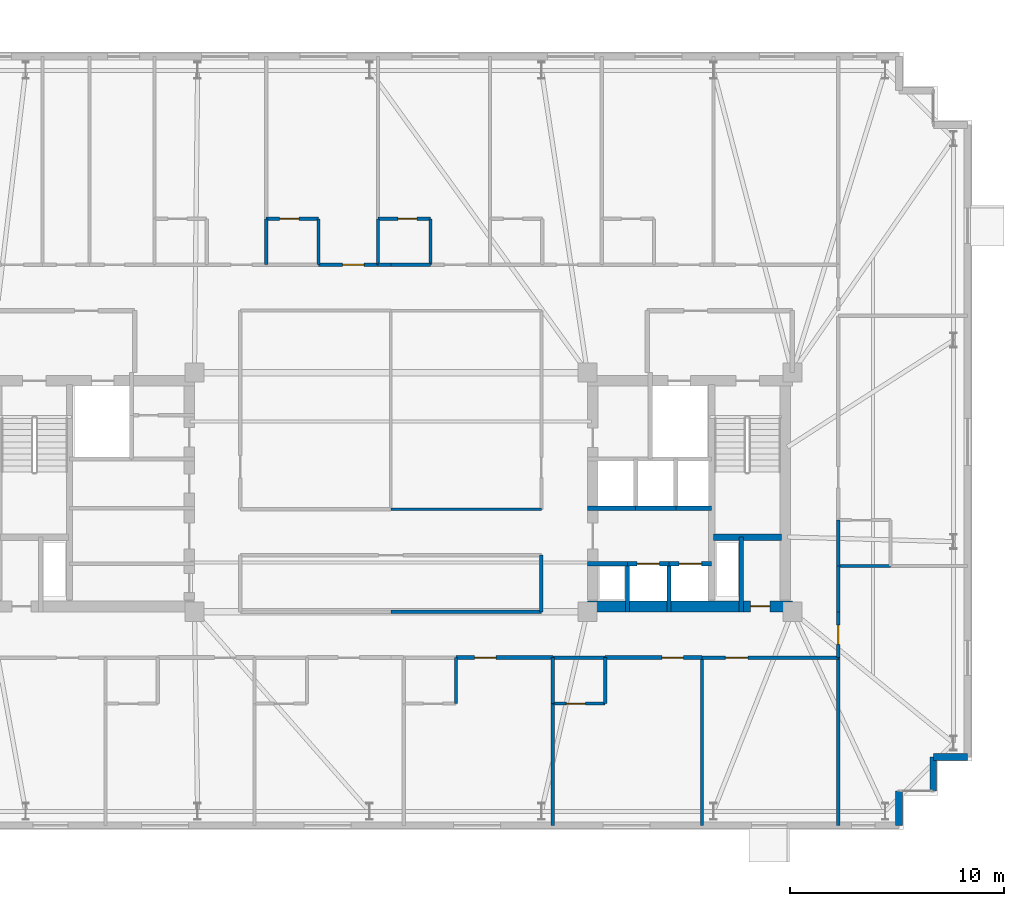
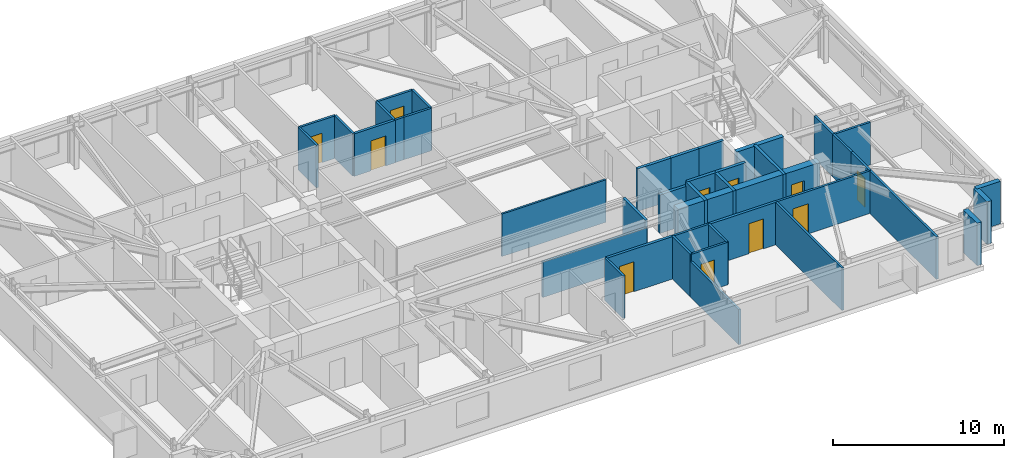
# One storey, part 13 of 17: 41 walls, 11 doors, 11 openings.
"""IFC4 building model written with IfcOpenShell, lengths in metres."""

from ifc_helpers import new_model, si_unit, direction, frame, frame_2d, origin, place, context, subcontext, project, spatial, rectangle, extrude, material, layer, layer_set, type_object, element, fill, save


model = new_model("IFC4")

# Units and contexts
model_context = context("Model", 3, precision=1e-05, world=origin(), true_north=direction((0.0, 1.0)))
body_context = subcontext(model_context, "Body", "Model", "MODEL_VIEW")
ifc_project = project(units=[si_unit("LENGTHUNIT", "METRE"), si_unit("AREAUNIT", "SQUARE_METRE"), si_unit("VOLUMEUNIT", "CUBIC_METRE"), si_unit("PLANEANGLEUNIT", "RADIAN"), si_unit("MASSUNIT", "GRAM", prefix="KILO")], contexts=[model_context])

# Site, building, storey
site_placement = place(None, origin())
site = spatial("IfcSite", under=ifc_project, at=site_placement, CompositionType="ELEMENT")
building_placement = place(site_placement, origin())
building = spatial("IfcBuilding", under=site, at=building_placement, Name="Qobustan Lattice House", CompositionType="ELEMENT")
storey_placement = place(building_placement, frame((0.0, 0.0, 144.39990234375)))
storey = spatial("IfcBuildingStorey", under=building, at=storey_placement, Name="L40", CompositionType="ELEMENT", Elevation=144.39990234375)

# Wall, opening, door
ifc_material_1 = material(Name="Concrete C50/60", Category="concrete")
ifc_layer_1 = layer(ifc_material_1, 0.5)
ifc_layer_set_1 = layer_set([ifc_layer_1], Name="Concrete C50/60")
wall_type_1 = type_object("IfcWallType", Name="WAL-CORE-500", PredefinedType="SHEAR", material=ifc_layer_set_1)
wall_1_placement = place(storey_placement, frame((9.199951171875, -5.35009765625, 0.0), z_axis=(0.0, 0.0, 1.0), x_axis=(1.0, 0.0, 0.0)))
wall_1 = element("IfcWall", 1, at=wall_1_placement, inside=storey, type_object=wall_type_1, Name="L40 split-core shear wall CE-S", PredefinedType="SHEAR", context=body_context, shape_type="SweptSolid", body=[
    extrude(rectangle(XDim=9.60009765625, YDim=0.5, at=frame_2d((4.800048828125, 0.0))), origin(), (0.0, 0.0, 1.0), 3.0400390625),
])
opening_1_placement = place(wall_1_placement, frame((7.64990234375, 0.0, 0.0)))
opening_1 = element("IfcOpeningElement", 2, at=opening_1_placement, cuts=wall_1, Name="Opening RD-01", PredefinedType="OPENING", context=body_context, shape_type="SweptSolid", body=[
    extrude(rectangle(XDim=0.89990234375, YDim=2.10009765625, at=frame_2d((0.449951171875, 1.050048828125))), frame((0.0, 0.260009765625, 0.0), z_axis=(0.0, -1.0, 0.0), x_axis=(1.0, 0.0, 0.0)), (0.0, 0.0, 1.0), 0.52001953125),
])
ifc_material_2 = material(Name="Persian walnut timber and steel frame door", Category="steel")
door_type_1 = type_object("IfcDoorType", Name="DOR-RISER-FD-900x2100", OperationType="NOTDEFINED", PredefinedType="DOOR", material=ifc_material_2)
door_1_placement = place(opening_1_placement, origin())
door_1 = element("IfcDoor", 3, at=door_1_placement, inside=storey, type_object=door_type_1, Name="L40 core service riser access door E", OperationType="SINGLE_SWING_RIGHT", OverallHeight=2.10009765625, OverallWidth=0.89990234375, PredefinedType="DOOR", context=body_context, shape_type="SweptSolid", body=[
    extrude(rectangle(XDim=0.89990234375, YDim=2.10009765625, at=frame_2d((0.449951171875, 1.050048828125))), frame((0.0, 0.02490234375, 0.0), z_axis=(0.0, -1.0, 0.0), x_axis=(1.0, 0.0, 0.0)), (0.0, 0.0, 1.0), 0.050048828125),
])
fill(opening_1, door_1)

# Walls
ifc_material_3 = material(Name="Concrete C50/60", Category="concrete")
ifc_layer_2 = layer(ifc_material_3, 0.280029296875)
ifc_layer_set_2 = layer_set([ifc_layer_2], Name="Concrete C50/60")
wall_type_2 = type_object("IfcWallType", Name="WAL-CORE-SPINE-280", PredefinedType="SHEAR", material=ifc_layer_set_2)
wall_2_placement = place(storey_placement, frame((15.10009765625, -2.110107421875, 0.0), z_axis=(0.0, 0.0, 1.0), x_axis=(1.0, 0.0, 0.0)))
element("IfcWall", 4, at=wall_2_placement, inside=storey, type_object=wall_type_2, Name="L40 split-core shear wall CE-ST", PredefinedType="SHEAR", context=body_context, shape_type="SweptSolid", body=[
    extrude(rectangle(XDim=3.179931640625, YDim=0.300048828125, at=frame_2d((1.58984375, 0.0))), origin(), (0.0, 0.0, 1.0), 3.0400390625),
])
ifc_material_4 = material(Name="Precast concrete C40/50", Category="concrete")
ifc_layer_3 = layer(ifc_material_4, 0.320068359375)
ifc_layer_set_3 = layer_set([ifc_layer_3], Name="Precast concrete C40/50")
wall_type_3 = type_object("IfcWallType", Name="WAL-EXT-STONE-320", PredefinedType="SOLIDWALL", material=ifc_layer_set_3)
for number, where, z_axis, x_axis, name in (
    (5, (27.0, -12.39990234375, 0.0), (0.0, 0.0, 1.0), (-1.0, 0.0, 0.0), "L40 exterior limestone-clad wall 16"),
    (6, (25.39990234375, -12.39990234375, 0.0), (0.0, 0.0, 1.0), (0.0, -1.0, 0.0), "L40 exterior limestone-clad wall 17"),
    (7, (23.800048828125, -14.0, 0.0), (0.0, 0.0, 1.0), (0.0, -1.0, 0.0), "L40 exterior limestone-clad wall 19"),
):
    element("IfcWall", number, at=place(storey_placement, frame(where, z_axis=z_axis, x_axis=x_axis)), inside=storey, type_object=wall_type_3, Name=name, PredefinedType="SOLIDWALL", context=body_context, shape_type="SweptSolid", body=[
        extrude(rectangle(XDim=1.60009765625, YDim=0.320068359375, at=frame_2d((0.800048828125, 0.0))), origin(), (0.0, 0.0, 1.0), 3.0400390625),
    ])

# Wall, opening, door
ifc_material_5 = material(Name="Gypsum fireboard acoustic partition", Category="gypsum")
ifc_layer_4 = layer(ifc_material_5, 0.179931640625)
ifc_layer_set_4 = layer_set([ifc_layer_4], Name="Gypsum fireboard acoustic partition")
wall_type_4 = type_object("IfcWallType", Name="WAL-FIRE-180", PredefinedType="PARTITIONING", material=ifc_layer_set_4)
wall_3_placement = place(storey_placement, frame((-3.387939453125, 10.64990234375, 0.0), z_axis=(0.0, 0.0, 1.0), x_axis=(1.0, 0.0, 0.0)))
wall_3 = element("IfcWall", 8, at=wall_3_placement, inside=storey, type_object=wall_type_4, Name="L40 interior partition 38", PredefinedType="PARTITIONING", context=body_context, shape_type="SweptSolid", body=[
    extrude(rectangle(XDim=2.787841796875, YDim=0.179931640625, at=frame_2d((1.39404296875, 0.0))), origin(), (0.0, 0.0, 1.0), 3.0400390625),
])
opening_2_placement = place(wall_3_placement, frame((1.12939453125, 0.0, 0.0)))
opening_2 = element("IfcOpeningElement", 9, at=opening_2_placement, cuts=wall_3, Name="Opening FD-02", PredefinedType="OPENING", context=body_context, shape_type="SweptSolid", body=[
    extrude(rectangle(XDim=1.0, YDim=2.14990234375, at=frame_2d((0.5, 1.074951171875))), frame((0.0, 0.099853515625, 0.0), z_axis=(0.0, -1.0, 0.0), x_axis=(1.0, 0.0, 0.0)), (0.0, 0.0, 1.0), 0.199951171875),
])
ifc_material_6 = material(Name="Persian walnut timber and steel frame door", Category="steel")
door_type_2 = type_object("IfcDoorType", Name="DOR-UNIT-FD-1000x2150", OperationType="NOTDEFINED", PredefinedType="DOOR", material=ifc_material_6)
door_2_placement = place(opening_2_placement, origin())
door_2 = element("IfcDoor", 10, at=door_2_placement, inside=storey, type_object=door_type_2, Name="L40 North-west floor corridor to Kitchenette and studio apartment L40-N4 door", OperationType="SINGLE_SWING_LEFT", OverallHeight=2.14990234375, OverallWidth=1.0, PredefinedType="DOOR", context=body_context, shape_type="SweptSolid", body=[
    extrude(rectangle(XDim=1.0, YDim=2.14990234375, at=frame_2d((0.5, 1.074951171875))), frame((0.0, 0.02490234375, 0.0), z_axis=(0.0, -1.0, 0.0), x_axis=(1.0, 0.0, 0.0)), (0.0, 0.0, 1.0), 0.050048828125),
])
fill(opening_2, door_2)

wall_4_placement = place(storey_placement, frame((7.5830078125, -7.75, 0.0), z_axis=(0.0, 0.0, 1.0), x_axis=(-1.0, 0.0, 0.0)))
wall_4 = element("IfcWall", 11, at=wall_4_placement, inside=storey, type_object=wall_type_4, Name="L40 interior partition 60", PredefinedType="PARTITIONING", context=body_context, shape_type="SweptSolid", body=[
    extrude(rectangle(XDim=4.532958984375, YDim=0.179931640625, at=frame_2d((2.2666015625, 0.0))), origin(), (0.0, 0.0, 1.0), 3.0400390625),
])
opening_3_placement = place(wall_4_placement, frame((2.656494140625, 0.0, 0.0)))
opening_3 = element("IfcOpeningElement", 12, at=opening_3_placement, cuts=wall_4, Name="Opening FD-02", PredefinedType="OPENING", context=body_context, shape_type="SweptSolid", body=[
    extrude(rectangle(XDim=1.0, YDim=2.14990234375, at=frame_2d((0.5, 1.074951171875))), frame((0.0, 0.099853515625, 0.0), z_axis=(0.0, -1.0, 0.0), x_axis=(1.0, 0.0, 0.0)), (0.0, 0.0, 1.0), 0.199951171875),
])
door_3_placement = place(opening_3_placement, origin())
door_3 = element("IfcDoor", 13, at=door_3_placement, inside=storey, type_object=door_type_2, Name="L40 South-east floor corridor to Kitchenette and studio apartment L40-S4 door", OperationType="SINGLE_SWING_RIGHT", OverallHeight=2.14990234375, OverallWidth=1.0, PredefinedType="DOOR", context=body_context, shape_type="SweptSolid", body=[
    extrude(rectangle(XDim=1.0, YDim=2.14990234375, at=frame_2d((0.5, 1.074951171875))), frame((0.0, 0.02490234375, 0.0), z_axis=(0.0, -1.0, 0.0), x_axis=(1.0, 0.0, 0.0)), (0.0, 0.0, 1.0), 0.050048828125),
])
fill(opening_3, door_3)

wall_5_placement = place(storey_placement, frame((14.56689453125, -7.75, 0.0), z_axis=(0.0, 0.0, 1.0), x_axis=(-1.0, 0.0, 0.0)))
wall_5 = element("IfcWall", 14, at=wall_5_placement, inside=storey, type_object=wall_type_4, Name="L40 interior partition 62", PredefinedType="PARTITIONING", context=body_context, shape_type="SweptSolid", body=[
    extrude(rectangle(XDim=4.533935546875, YDim=0.179931640625, at=frame_2d((2.26708984375, 0.0))), origin(), (0.0, 0.0, 1.0), 3.0400390625),
])
opening_4_placement = place(wall_5_placement, frame((0.876708984375, 0.0, 0.0)))
opening_4 = element("IfcOpeningElement", 15, at=opening_4_placement, cuts=wall_5, Name="Opening FD-02", PredefinedType="OPENING", context=body_context, shape_type="SweptSolid", body=[
    extrude(rectangle(XDim=1.0, YDim=2.14990234375, at=frame_2d((0.5, 1.074951171875))), frame((0.0, 0.099853515625, 0.0), z_axis=(0.0, -1.0, 0.0), x_axis=(1.0, 0.0, 0.0)), (0.0, 0.0, 1.0), 0.199951171875),
])
door_4_placement = place(opening_4_placement, origin())
door_4 = element("IfcDoor", 16, at=door_4_placement, inside=storey, type_object=door_type_2, Name="L40 South-east floor corridor to Kitchenette and studio apartment L40-S5 door", OperationType="SINGLE_SWING_LEFT", OverallHeight=2.14990234375, OverallWidth=1.0, PredefinedType="DOOR", context=body_context, shape_type="SweptSolid", body=[
    extrude(rectangle(XDim=1.0, YDim=2.14990234375, at=frame_2d((0.5, 1.074951171875))), frame((0.0, 0.02490234375, 0.0), z_axis=(0.0, -1.0, 0.0), x_axis=(1.0, 0.0, 0.0)), (0.0, 0.0, 1.0), 0.050048828125),
])
fill(opening_4, door_4)

# Wall
ifc_material_7 = material(Name="Lightweight acoustic stud partition", Category="gypsum")
ifc_layer_5 = layer(ifc_material_7, 0.125)
ifc_layer_set_5 = layer_set([ifc_layer_5], Name="Lightweight acoustic stud partition")
wall_type_5 = type_object("IfcWallType", Name="WAL-PART-125", PredefinedType="PARTITIONING", material=ifc_layer_set_5)
wall_6_placement = place(storey_placement, frame((0.0, -0.800048828125, 0.0), z_axis=(0.0, 0.0, 1.0), x_axis=(1.0, 0.0, 0.0)))
element("IfcWall", 17, at=wall_6_placement, inside=storey, type_object=wall_type_5, Name="L40 interior partition 73", PredefinedType="PARTITIONING", context=body_context, shape_type="SweptSolid", body=[
    extrude(rectangle(XDim=7.050048828125, YDim=0.125, at=frame_2d((3.52490234375, 0.0))), origin(), (0.0, 0.0, 1.0), 3.0400390625),
])

# Wall, opening, door
ifc_material_8 = material(Name="Acoustic twin-stud gypsum partition", Category="gypsum")
ifc_layer_6 = layer(ifc_material_8, 0.14990234375)
ifc_layer_set_6 = layer_set([ifc_layer_6], Name="Acoustic twin-stud gypsum partition")
wall_type_6 = type_object("IfcWallType", Name="WAL-PART-150", PredefinedType="PARTITIONING", material=ifc_layer_set_6)
wall_7_placement = place(storey_placement, frame((20.949951171875, -5.60009765625, 0.0), z_axis=(0.0, 0.0, 1.0), x_axis=(0.0, -1.0, 0.0)))
wall_7 = element("IfcWall", 18, at=wall_7_placement, inside=storey, type_object=wall_type_6, Name="L40 interior partition 58", PredefinedType="PARTITIONING", context=body_context, shape_type="SweptSolid", body=[
    extrude(rectangle(XDim=2.14990234375, YDim=0.14990234375, at=frame_2d((1.074951171875, 0.0))), origin(), (0.0, 0.0, 1.0), 3.0400390625),
])
opening_5_placement = place(wall_7_placement, frame((0.625, 0.0, 0.0)))
opening_5 = element("IfcOpeningElement", 19, at=opening_5_placement, cuts=wall_7, Name="Opening WD-01", PredefinedType="OPENING", context=body_context, shape_type="SweptSolid", body=[
    extrude(rectangle(XDim=0.89990234375, YDim=2.10009765625, at=frame_2d((0.449951171875, 1.050048828125))), frame((0.0, 0.0849609375, 0.0), z_axis=(0.0, -1.0, 0.0), x_axis=(1.0, 0.0, 0.0)), (0.0, 0.0, 1.0), 0.169921875),
])
ifc_material_9 = material(Name="Persian walnut timber and steel frame door", Category="steel")
door_type_3 = type_object("IfcDoorType", Name="DOR-WET-900x2100", OperationType="NOTDEFINED", PredefinedType="DOOR", material=ifc_material_9)
door_5_placement = place(opening_5_placement, origin())
door_5 = element("IfcDoor", 20, at=door_5_placement, inside=storey, type_object=door_type_3, Name="L40 South-east floor corridor to Focus study room E1 door", OperationType="SINGLE_SWING_LEFT", OverallHeight=2.10009765625, OverallWidth=0.89990234375, PredefinedType="DOOR", context=body_context, shape_type="SweptSolid", body=[
    extrude(rectangle(XDim=0.89990234375, YDim=2.10009765625, at=frame_2d((0.449951171875, 1.050048828125))), frame((0.0, 0.02490234375, 0.0), z_axis=(0.0, -1.0, 0.0), x_axis=(1.0, 0.0, 0.0)), (0.0, 0.0, 1.0), 0.050048828125),
])
fill(opening_5, door_5)

wall_8_placement = place(storey_placement, frame((20.949951171875, -7.75, 0.0), z_axis=(0.0, 0.0, 1.0), x_axis=(-1.0, 0.0, 0.0)))
wall_8 = element("IfcWall", 21, at=wall_8_placement, inside=storey, type_object=wall_type_6, Name="L40 interior partition 64", PredefinedType="PARTITIONING", context=body_context, shape_type="SweptSolid", body=[
    extrude(rectangle(XDim=6.383056640625, YDim=0.14990234375, at=frame_2d((3.19140625, 0.0))), origin(), (0.0, 0.0, 1.0), 3.0400390625),
])
opening_6_placement = place(wall_8_placement, frame((4.2314453125, 0.0, 0.0)))
opening_6 = element("IfcOpeningElement", 22, at=opening_6_placement, cuts=wall_8, Name="Opening ID-02", PredefinedType="OPENING", context=body_context, shape_type="SweptSolid", body=[
    extrude(rectangle(XDim=1.050048828125, YDim=2.14990234375, at=frame_2d((0.52490234375, 1.074951171875))), frame((0.0, 0.0849609375, 0.0), z_axis=(0.0, -1.0, 0.0), x_axis=(1.0, 0.0, 0.0)), (0.0, 0.0, 1.0), 0.169921875),
])
ifc_material_10 = material(Name="Persian walnut timber and steel frame door", Category="steel")
door_type_4 = type_object("IfcDoorType", Name="DOR-STUDY-1050x2150", OperationType="NOTDEFINED", PredefinedType="DOOR", material=ifc_material_10)
door_6_placement = place(opening_6_placement, origin())
door_6 = element("IfcDoor", 23, at=door_6_placement, inside=storey, type_object=door_type_4, Name="L40 South-east floor corridor to Group study room door", OperationType="SINGLE_SWING_RIGHT", OverallHeight=2.14990234375, OverallWidth=1.050048828125, PredefinedType="DOOR", context=body_context, shape_type="SweptSolid", body=[
    extrude(rectangle(XDim=1.050048828125, YDim=2.14990234375, at=frame_2d((0.52490234375, 1.074951171875))), frame((0.0, 0.02490234375, 0.0), z_axis=(0.0, -1.0, 0.0), x_axis=(1.0, 0.0, 0.0)), (0.0, 0.0, 1.0), 0.050048828125),
])
fill(opening_6, door_6)

# Walls
wall_9_placement = place(storey_placement, frame((20.949951171875, -3.4599609375, 0.0), z_axis=(0.0, 0.0, 1.0), x_axis=(0.0, -1.0, 0.0)))
element("IfcWall", 24, at=wall_9_placement, inside=storey, type_object=wall_type_6, Name="L40 interior partition 69", PredefinedType="PARTITIONING", context=body_context, shape_type="SweptSolid", body=[
    extrude(rectangle(XDim=2.14013671875, YDim=0.14990234375, at=frame_2d((1.070068359375, 0.0))), origin(), (0.0, 0.0, 1.0), 3.0400390625),
])
wall_10_placement = place(storey_placement, frame((20.949951171875, -15.60009765625, 0.0), z_axis=(0.0, 0.0, 1.0), x_axis=(0.0, 1.0, 0.0)))
element("IfcWall", 25, at=wall_10_placement, inside=storey, type_object=wall_type_6, Name="L40 interior partition 92", PredefinedType="PARTITIONING", context=body_context, shape_type="SweptSolid", body=[
    extrude(rectangle(XDim=7.85009765625, YDim=0.14990234375, at=frame_2d((3.925048828125, 0.0))), origin(), (0.0, 0.0, 1.0), 3.0400390625),
])
wall_11_placement = place(storey_placement, frame((7.5830078125, -9.89990234375, 0.0), z_axis=(0.0, 0.0, 1.0), x_axis=(0.0, -1.0, 0.0)))
element("IfcWall", 26, at=wall_11_placement, inside=storey, type_object=wall_type_6, Name="L40 interior partition 132", PredefinedType="PARTITIONING", context=body_context, shape_type="SweptSolid", body=[
    extrude(rectangle(XDim=5.7001953125, YDim=0.14990234375, at=frame_2d((2.85009765625, 0.0))), origin(), (0.0, 0.0, 1.0), 2.525146484375),
])
wall_12_placement = place(storey_placement, frame((14.56689453125, -7.75, 0.0), z_axis=(0.0, 0.0, 1.0), x_axis=(0.0, -1.0, 0.0)))
element("IfcWall", 27, at=wall_12_placement, inside=storey, type_object=wall_type_6, Name="L40 interior partition 136", PredefinedType="PARTITIONING", context=body_context, shape_type="SweptSolid", body=[
    extrude(rectangle(XDim=7.85009765625, YDim=0.14990234375, at=frame_2d((3.925048828125, 0.0))), origin(), (0.0, 0.0, 1.0), 3.0400390625),
])
ifc_material_11 = material(Name="High-mass acoustic twin-stud partition", Category="gypsum")
ifc_layer_7 = layer(ifc_material_11, 0.1650390625)
ifc_layer_set_7 = layer_set([ifc_layer_7], Name="High-mass acoustic twin-stud partition")
wall_type_7 = type_object("IfcWallType", Name="WAL-PART-165", PredefinedType="PARTITIONING", material=ifc_layer_set_7)
wall_13_placement = place(storey_placement, frame((0.0, -5.60009765625, 0.0), z_axis=(0.0, 0.0, 1.0), x_axis=(1.0, 0.0, 0.0)))
element("IfcWall", 28, at=wall_13_placement, inside=storey, type_object=wall_type_7, Name="L40 interior partition 65", PredefinedType="PARTITIONING", context=body_context, shape_type="SweptSolid", body=[
    extrude(rectangle(XDim=7.050048828125, YDim=0.1650390625, at=frame_2d((3.52490234375, 0.0))), origin(), (0.0, 0.0, 1.0), 2.525146484375),
])
wall_14_placement = place(storey_placement, frame((7.050048828125, -5.60009765625, 0.0), z_axis=(0.0, 0.0, 1.0), x_axis=(0.0, 1.0, 0.0)))
element("IfcWall", 29, at=wall_14_placement, inside=storey, type_object=wall_type_7, Name="L40 interior partition 78", PredefinedType="PARTITIONING", context=body_context, shape_type="SweptSolid", body=[
    extrude(rectangle(XDim=2.650146484375, YDim=0.1650390625, at=frame_2d((1.3251953125, 0.0))), origin(), (0.0, 0.0, 1.0), 3.0400390625),
])
ifc_material_12 = material(Name="Concrete C40/50", Category="concrete")
ifc_layer_8 = layer(ifc_material_12, 0.199951171875)
ifc_layer_set_8 = layer_set([ifc_layer_8], Name="Concrete C40/50")
wall_type_8 = type_object("IfcWallType", Name="WAL-SHAFT-200", PredefinedType="PARTITIONING", material=ifc_layer_set_8)
wall_15_placement = place(storey_placement, frame((16.39990234375, -2.110107421875, 0.0), z_axis=(0.0, 0.0, 1.0), x_axis=(0.0, -1.0, 0.0)))
element("IfcWall", 30, at=wall_15_placement, inside=storey, type_object=wall_type_8, Name="L40 interior partition 15", PredefinedType="PARTITIONING", context=body_context, shape_type="SweptSolid", body=[
    extrude(rectangle(XDim=3.489990234375, YDim=0.199951171875, at=frame_2d((1.7451171875, 0.0))), origin(), (0.0, 0.0, 1.0), 3.0400390625),
])
wall_16_placement = place(storey_placement, frame((9.199951171875, -3.35009765625, 0.0), z_axis=(0.0, 0.0, 1.0), x_axis=(1.0, 0.0, 0.0)))
element("IfcWall", 31, at=wall_16_placement, inside=storey, type_object=wall_type_8, Name="L40 interior partition 21", PredefinedType="PARTITIONING", context=body_context, shape_type="SweptSolid", body=[
    extrude(rectangle(XDim=1.880126953125, YDim=0.199951171875, at=frame_2d((0.93994140625, 0.0))), origin(), (0.0, 0.0, 1.0), 2.755126953125),
])

# Wall, opening, door
wall_17_placement = place(storey_placement, frame((11.080078125, -3.35009765625, 0.0), z_axis=(0.0, 0.0, 1.0), x_axis=(1.0, 0.0, 0.0)))
wall_17 = element("IfcWall", 32, at=wall_17_placement, inside=storey, type_object=wall_type_8, Name="L40 interior partition 22", PredefinedType="PARTITIONING", context=body_context, shape_type="SweptSolid", body=[
    extrude(rectangle(XDim=1.93994140625, YDim=0.199951171875, at=frame_2d((0.969970703125, 0.0))), origin(), (0.0, 0.0, 1.0), 3.0400390625),
])
opening_7_placement = place(wall_17_placement, frame((0.445068359375, 0.0, 0.0)))
opening_7 = element("IfcOpeningElement", 33, at=opening_7_placement, cuts=wall_17, Name="Opening LD-01", PredefinedType="OPENING", context=body_context, shape_type="SweptSolid", body=[
    extrude(rectangle(XDim=1.050048828125, YDim=2.10009765625, at=frame_2d((0.52490234375, 1.050048828125))), frame((0.0, 0.10986328125, 0.0), z_axis=(0.0, -1.0, 0.0), x_axis=(1.0, 0.0, 0.0)), (0.0, 0.0, 1.0), 0.219970703125),
])
ifc_material_13 = material(Name="Persian walnut timber and steel frame door", Category="steel")
door_type_5 = type_object("IfcDoorType", Name="DOR-LIFT-LD-1050x2100", OperationType="NOTDEFINED", PredefinedType="DOOR", material=ifc_material_13)
door_7_placement = place(opening_7_placement, origin())
door_7 = element("IfcDoor", 34, at=door_7_placement, inside=storey, type_object=door_type_5, Name="L40 lift landing door", OperationType="DOUBLE_DOOR_SLIDING", OverallHeight=2.10009765625, OverallWidth=1.050048828125, PredefinedType="DOOR", context=body_context, shape_type="SweptSolid", body=[
    extrude(rectangle(XDim=1.050048828125, YDim=2.10009765625, at=frame_2d((0.52490234375, 1.050048828125))), frame((0.0, 0.02490234375, 0.0), z_axis=(0.0, -1.0, 0.0), x_axis=(1.0, 0.0, 0.0)), (0.0, 0.0, 1.0), 0.050048828125),
])
fill(opening_7, door_7)

wall_18_placement = place(storey_placement, frame((13.02001953125, -3.35009765625, 0.0), z_axis=(0.0, 0.0, 1.0), x_axis=(1.0, 0.0, 0.0)))
wall_18 = element("IfcWall", 35, at=wall_18_placement, inside=storey, type_object=wall_type_8, Name="L40 interior partition 23", PredefinedType="PARTITIONING", context=body_context, shape_type="SweptSolid", body=[
    extrude(rectangle(XDim=2.0, YDim=0.199951171875, at=frame_2d((1.0, 0.0))), origin(), (0.0, 0.0, 1.0), 3.0400390625),
])
opening_8_placement = place(wall_18_placement, frame((0.47509765625, 0.0, 0.0)))
opening_8 = element("IfcOpeningElement", 36, at=opening_8_placement, cuts=wall_18, Name="Opening LD-01", PredefinedType="OPENING", context=body_context, shape_type="SweptSolid", body=[
    extrude(rectangle(XDim=1.050048828125, YDim=2.10009765625, at=frame_2d((0.52490234375, 1.050048828125))), frame((0.0, 0.10986328125, 0.0), z_axis=(0.0, -1.0, 0.0), x_axis=(1.0, 0.0, 0.0)), (0.0, 0.0, 1.0), 0.219970703125),
])
door_8_placement = place(opening_8_placement, origin())
door_8 = element("IfcDoor", 37, at=door_8_placement, inside=storey, type_object=door_type_5, Name="L40 lift landing door", OperationType="DOUBLE_DOOR_SLIDING", OverallHeight=2.10009765625, OverallWidth=1.050048828125, PredefinedType="DOOR", context=body_context, shape_type="SweptSolid", body=[
    extrude(rectangle(XDim=1.050048828125, YDim=2.10009765625, at=frame_2d((0.52490234375, 1.050048828125))), frame((0.0, 0.02490234375, 0.0), z_axis=(0.0, -1.0, 0.0), x_axis=(1.0, 0.0, 0.0)), (0.0, 0.0, 1.0), 0.050048828125),
])
fill(opening_8, door_8)

# Walls
wall_19_placement = place(storey_placement, frame((11.4599609375, -0.75, 0.0), z_axis=(0.0, 0.0, 1.0), x_axis=(-1.0, 0.0, 0.0)))
element("IfcWall", 38, at=wall_19_placement, inside=storey, type_object=wall_type_8, Name="L40 interior partition 24", PredefinedType="PARTITIONING", context=body_context, shape_type="SweptSolid", body=[
    extrude(rectangle(XDim=2.260009765625, YDim=0.199951171875, at=frame_2d((1.1298828125, 0.0))), origin(), (0.0, 0.0, 1.0), 3.0400390625),
])
wall_20_placement = place(storey_placement, frame((13.340087890625, -0.75, 0.0), z_axis=(0.0, 0.0, 1.0), x_axis=(-1.0, 0.0, 0.0)))
element("IfcWall", 39, at=wall_20_placement, inside=storey, type_object=wall_type_8, Name="L40 interior partition 25", PredefinedType="PARTITIONING", context=body_context, shape_type="SweptSolid", body=[
    extrude(rectangle(XDim=1.880126953125, YDim=0.199951171875, at=frame_2d((0.93994140625, 0.0))), origin(), (0.0, 0.0, 1.0), 3.0400390625),
])
wall_21_placement = place(storey_placement, frame((15.02001953125, -0.75, 0.0), z_axis=(0.0, 0.0, 1.0), x_axis=(-1.0, 0.0, 0.0)))
element("IfcWall", 40, at=wall_21_placement, inside=storey, type_object=wall_type_8, Name="L40 interior partition 26", PredefinedType="PARTITIONING", context=body_context, shape_type="SweptSolid", body=[
    extrude(rectangle(XDim=1.679931640625, YDim=0.199951171875, at=frame_2d((0.83984375, 0.0))), origin(), (0.0, 0.0, 1.0), 3.0400390625),
])
for number, where, z_axis, x_axis, name in (
    (41, (11.080078125, -5.60009765625, 0.0), (0.0, 0.0, 1.0), (0.0, 1.0, 0.0), "L40 interior partition 28"),
    (42, (13.02001953125, -5.60009765625, 0.0), (0.0, 0.0, 1.0), (0.0, 1.0, 0.0), "L40 interior partition 29"),
):
    element("IfcWall", number, at=place(storey_placement, frame(where, z_axis=z_axis, x_axis=x_axis)), inside=storey, type_object=wall_type_8, Name=name, PredefinedType="PARTITIONING", context=body_context, shape_type="SweptSolid", body=[
        extrude(rectangle(XDim=2.25, YDim=0.199951171875, at=frame_2d((1.125, 0.0))), origin(), (0.0, 0.0, 1.0), 3.0400390625),
    ])
ifc_material_14 = material(Name="Moisture-resistant acoustic plumbing wall", Category="gypsum")
ifc_layer_9 = layer(ifc_material_14, 0.14990234375)
ifc_layer_set_9 = layer_set([ifc_layer_9], Name="Moisture-resistant acoustic plumbing wall")
wall_type_9 = type_object("IfcWallType", Name="WAL-WET-150", PredefinedType="PLUMBINGWALL", material=ifc_layer_set_9)
wall_22_placement = place(storey_placement, frame((-0.60009765625, 10.64990234375, 0.0), z_axis=(0.0, 0.0, 1.0), x_axis=(1.0, 0.0, 0.0)))
element("IfcWall", 43, at=wall_22_placement, inside=storey, type_object=wall_type_9, Name="L40 interior partition 40", PredefinedType="PLUMBINGWALL", context=body_context, shape_type="SweptSolid", body=[
    extrude(rectangle(XDim=0.60009765625, YDim=0.14990234375, at=frame_2d((0.300048828125, 0.0))), origin(), (0.0, 0.0, 1.0), 3.0400390625),
])
wall_23_placement = place(storey_placement, frame((0.0, 10.64990234375, 0.0), z_axis=(0.0, 0.0, 1.0), x_axis=(1.0, 0.0, 0.0)))
element("IfcWall", 44, at=wall_23_placement, inside=storey, type_object=wall_type_9, Name="L40 interior partition 44", PredefinedType="PLUMBINGWALL", context=body_context, shape_type="SweptSolid", body=[
    extrude(rectangle(XDim=1.85009765625, YDim=0.14990234375, at=frame_2d((0.925048828125, 0.0))), origin(), (0.0, 0.0, 1.0), 3.0400390625),
])
wall_24_placement = place(storey_placement, frame((10.032958984375, -7.75, 0.0), z_axis=(0.0, 0.0, 1.0), x_axis=(-1.0, 0.0, 0.0)))
element("IfcWall", 45, at=wall_24_placement, inside=storey, type_object=wall_type_9, Name="L40 interior partition 63", PredefinedType="PLUMBINGWALL", context=body_context, shape_type="SweptSolid", body=[
    extrude(rectangle(XDim=2.449951171875, YDim=0.14990234375, at=frame_2d((1.22509765625, 0.0))), origin(), (0.0, 0.0, 1.0), 3.0400390625),
])
wall_25_placement = place(storey_placement, frame((20.949951171875, -1.31005859375, 0.0), z_axis=(0.0, 0.0, 1.0), x_axis=(0.0, -1.0, 0.0)))
element("IfcWall", 46, at=wall_25_placement, inside=storey, type_object=wall_type_9, Name="L40 interior partition 71", PredefinedType="PLUMBINGWALL", context=body_context, shape_type="SweptSolid", body=[
    extrude(rectangle(XDim=2.14990234375, YDim=0.14990234375, at=frame_2d((1.074951171875, 0.0))), origin(), (0.0, 0.0, 1.0), 3.0400390625),
])
wall_26_placement = place(storey_placement, frame((20.949951171875, -3.4599609375, 0.0), z_axis=(0.0, 0.0, 1.0), x_axis=(1.0, 0.0, 0.0)))
element("IfcWall", 47, at=wall_26_placement, inside=storey, type_object=wall_type_9, Name="L40 interior partition 91", PredefinedType="PLUMBINGWALL", context=body_context, shape_type="SweptSolid", body=[
    extrude(rectangle(XDim=2.449951171875, YDim=0.14990234375, at=frame_2d((1.22509765625, 0.0))), origin(), (0.0, 0.0, 1.0), 3.0400390625),
])
wall_27_placement = place(storey_placement, frame((-5.837890625, 12.800048828125, 0.0), z_axis=(0.0, 0.0, 1.0), x_axis=(0.0, -1.0, 0.0)))
element("IfcWall", 48, at=wall_27_placement, inside=storey, type_object=wall_type_9, Name="L40 interior partition 104", PredefinedType="PLUMBINGWALL", context=body_context, shape_type="SweptSolid", body=[
    extrude(rectangle(XDim=2.150146484375, YDim=0.14990234375, at=frame_2d((1.0751953125, 0.0))), origin(), (0.0, 0.0, 1.0), 3.0400390625),
])

# Wall, opening, door
wall_28_placement = place(storey_placement, frame((-3.387939453125, 12.800048828125, 0.0), z_axis=(0.0, 0.0, 1.0), x_axis=(-1.0, 0.0, 0.0)))
wall_28 = element("IfcWall", 49, at=wall_28_placement, inside=storey, type_object=wall_type_9, Name="L40 interior partition 105", PredefinedType="PLUMBINGWALL", context=body_context, shape_type="SweptSolid", body=[
    extrude(rectangle(XDim=2.449951171875, YDim=0.14990234375, at=frame_2d((1.22509765625, 0.0))), origin(), (0.0, 0.0, 1.0), 3.0400390625),
])
opening_9_placement = place(wall_28_placement, frame((0.92138671875, 0.0, 0.0)))
opening_9 = element("IfcOpeningElement", 50, at=opening_9_placement, cuts=wall_28, Name="Opening WD-01", PredefinedType="OPENING", context=body_context, shape_type="SweptSolid", body=[
    extrude(rectangle(XDim=0.89990234375, YDim=2.10009765625, at=frame_2d((0.449951171875, 1.050048828125))), frame((0.0, 0.0849609375, 0.0), z_axis=(0.0, -1.0, 0.0), x_axis=(1.0, 0.0, 0.0)), (0.0, 0.0, 1.0), 0.169921875),
])
door_9_placement = place(opening_9_placement, origin())
door_9 = element("IfcDoor", 51, at=door_9_placement, inside=storey, type_object=door_type_3, Name="L40 Kitchenette and studio apartment L40-N4 to En-suite bathroom L40-N4 door", OperationType="SINGLE_SWING_LEFT", OverallHeight=2.10009765625, OverallWidth=0.89990234375, PredefinedType="DOOR", context=body_context, shape_type="SweptSolid", body=[
    extrude(rectangle(XDim=0.89990234375, YDim=2.10009765625, at=frame_2d((0.449951171875, 1.050048828125))), frame((0.0, 0.02490234375, 0.0), z_axis=(0.0, -1.0, 0.0), x_axis=(1.0, 0.0, 0.0)), (0.0, 0.0, 1.0), 0.050048828125),
])
fill(opening_9, door_9)

# Walls
for number, where, z_axis, x_axis, name in (
    (52, (-3.387939453125, 10.64990234375, 0.0), (0.0, 0.0, 1.0), (0.0, 1.0, 0.0), "L40 interior partition 106"),
    (53, (-0.60009765625, 12.800048828125, 0.0), (0.0, 0.0, 1.0), (0.0, -1.0, 0.0), "L40 interior partition 108"),
):
    element("IfcWall", number, at=place(storey_placement, frame(where, z_axis=z_axis, x_axis=x_axis)), inside=storey, type_object=wall_type_9, Name=name, PredefinedType="PLUMBINGWALL", context=body_context, shape_type="SweptSolid", body=[
        extrude(rectangle(XDim=2.150146484375, YDim=0.14990234375, at=frame_2d((1.0751953125, 0.0))), origin(), (0.0, 0.0, 1.0), 3.0400390625),
    ])

# Wall, opening, door
wall_29_placement = place(storey_placement, frame((1.85009765625, 12.800048828125, 0.0), z_axis=(0.0, 0.0, 1.0), x_axis=(-1.0, 0.0, 0.0)))
wall_29 = element("IfcWall", 54, at=wall_29_placement, inside=storey, type_object=wall_type_9, Name="L40 interior partition 109", PredefinedType="PLUMBINGWALL", context=body_context, shape_type="SweptSolid", body=[
    extrude(rectangle(XDim=2.4501953125, YDim=0.14990234375, at=frame_2d((1.22509765625, 0.0))), origin(), (0.0, 0.0, 1.0), 3.0400390625),
])
opening_10_placement = place(wall_29_placement, frame((0.62890625, 0.0, 0.0)))
opening_10 = element("IfcOpeningElement", 55, at=opening_10_placement, cuts=wall_29, Name="Opening WD-01", PredefinedType="OPENING", context=body_context, shape_type="SweptSolid", body=[
    extrude(rectangle(XDim=0.89990234375, YDim=2.10009765625, at=frame_2d((0.449951171875, 1.050048828125))), frame((0.0, 0.0849609375, 0.0), z_axis=(0.0, -1.0, 0.0), x_axis=(1.0, 0.0, 0.0)), (0.0, 0.0, 1.0), 0.169921875),
])
door_10_placement = place(opening_10_placement, origin())
door_10 = element("IfcDoor", 56, at=door_10_placement, inside=storey, type_object=door_type_3, Name="L40 Kitchenette and studio apartment L40-N5 to En-suite bathroom L40-N5 door", OperationType="SINGLE_SWING_RIGHT", OverallHeight=2.10009765625, OverallWidth=0.89990234375, PredefinedType="DOOR", context=body_context, shape_type="SweptSolid", body=[
    extrude(rectangle(XDim=0.89990234375, YDim=2.10009765625, at=frame_2d((0.449951171875, 1.050048828125))), frame((0.0, 0.02490234375, 0.0), z_axis=(0.0, -1.0, 0.0), x_axis=(1.0, 0.0, 0.0)), (0.0, 0.0, 1.0), 0.050048828125),
])
fill(opening_10, door_10)

# Walls
wall_30_placement = place(storey_placement, frame((1.85009765625, 10.64990234375, 0.0), z_axis=(0.0, 0.0, 1.0), x_axis=(0.0, 1.0, 0.0)))
element("IfcWall", 57, at=wall_30_placement, inside=storey, type_object=wall_type_9, Name="L40 interior partition 110", PredefinedType="PLUMBINGWALL", context=body_context, shape_type="SweptSolid", body=[
    extrude(rectangle(XDim=2.150146484375, YDim=0.14990234375, at=frame_2d((1.0751953125, 0.0))), origin(), (0.0, 0.0, 1.0), 3.0400390625),
])
for number, where, z_axis, x_axis, name in (
    (58, (3.050048828125, -9.89990234375, 0.0), (0.0, 0.0, 1.0), (0.0, 1.0, 0.0), "L40 interior partition 131"),
    (59, (7.5830078125, -7.75, 0.0), (0.0, 0.0, 1.0), (0.0, -1.0, 0.0), "L40 interior partition 133"),
):
    element("IfcWall", number, at=place(storey_placement, frame(where, z_axis=z_axis, x_axis=x_axis)), inside=storey, type_object=wall_type_9, Name=name, PredefinedType="PLUMBINGWALL", context=body_context, shape_type="SweptSolid", body=[
        extrude(rectangle(XDim=2.14990234375, YDim=0.14990234375, at=frame_2d((1.074951171875, 0.0))), origin(), (0.0, 0.0, 1.0), 3.0400390625),
    ])

# Wall, opening, door
wall_31_placement = place(storey_placement, frame((7.5830078125, -9.89990234375, 0.0), z_axis=(0.0, 0.0, 1.0), x_axis=(1.0, 0.0, 0.0)))
wall_31 = element("IfcWall", 60, at=wall_31_placement, inside=storey, type_object=wall_type_9, Name="L40 interior partition 134", PredefinedType="PLUMBINGWALL", context=body_context, shape_type="SweptSolid", body=[
    extrude(rectangle(XDim=2.449951171875, YDim=0.14990234375, at=frame_2d((1.22509765625, 0.0))), origin(), (0.0, 0.0, 1.0), 3.0400390625),
])
opening_11_placement = place(wall_31_placement, frame((0.628662109375, 0.0, 0.0)))
opening_11 = element("IfcOpeningElement", 61, at=opening_11_placement, cuts=wall_31, Name="Opening WD-01", PredefinedType="OPENING", context=body_context, shape_type="SweptSolid", body=[
    extrude(rectangle(XDim=0.89990234375, YDim=2.10009765625, at=frame_2d((0.449951171875, 1.050048828125))), frame((0.0, 0.0849609375, 0.0), z_axis=(0.0, -1.0, 0.0), x_axis=(1.0, 0.0, 0.0)), (0.0, 0.0, 1.0), 0.169921875),
])
door_11_placement = place(opening_11_placement, origin())
door_11 = element("IfcDoor", 62, at=door_11_placement, inside=storey, type_object=door_type_3, Name="L40 Kitchenette and studio apartment L40-S5 to En-suite bathroom L40-S5 door", OperationType="SINGLE_SWING_RIGHT", OverallHeight=2.10009765625, OverallWidth=0.89990234375, PredefinedType="DOOR", context=body_context, shape_type="SweptSolid", body=[
    extrude(rectangle(XDim=0.89990234375, YDim=2.10009765625, at=frame_2d((0.449951171875, 1.050048828125))), frame((0.0, 0.02490234375, 0.0), z_axis=(0.0, -1.0, 0.0), x_axis=(1.0, 0.0, 0.0)), (0.0, 0.0, 1.0), 0.050048828125),
])
fill(opening_11, door_11)

# Wall
wall_32_placement = place(storey_placement, frame((10.032958984375, -9.89990234375, 0.0), z_axis=(0.0, 0.0, 1.0), x_axis=(0.0, 1.0, 0.0)))
element("IfcWall", 63, at=wall_32_placement, inside=storey, type_object=wall_type_9, Name="L40 interior partition 135", PredefinedType="PLUMBINGWALL", context=body_context, shape_type="SweptSolid", body=[
    extrude(rectangle(XDim=2.14990234375, YDim=0.14990234375, at=frame_2d((1.074951171875, 0.0))), origin(), (0.0, 0.0, 1.0), 3.0400390625),
])

save(model, "model.ifc")
